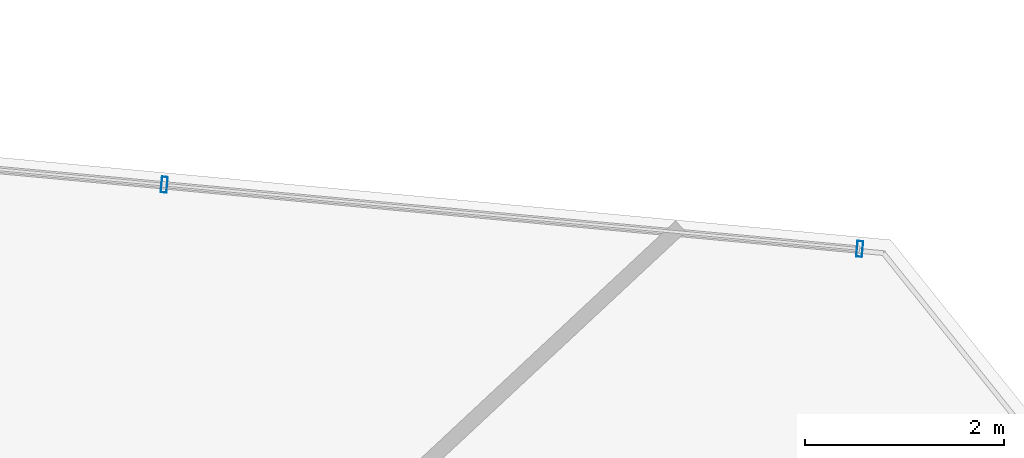
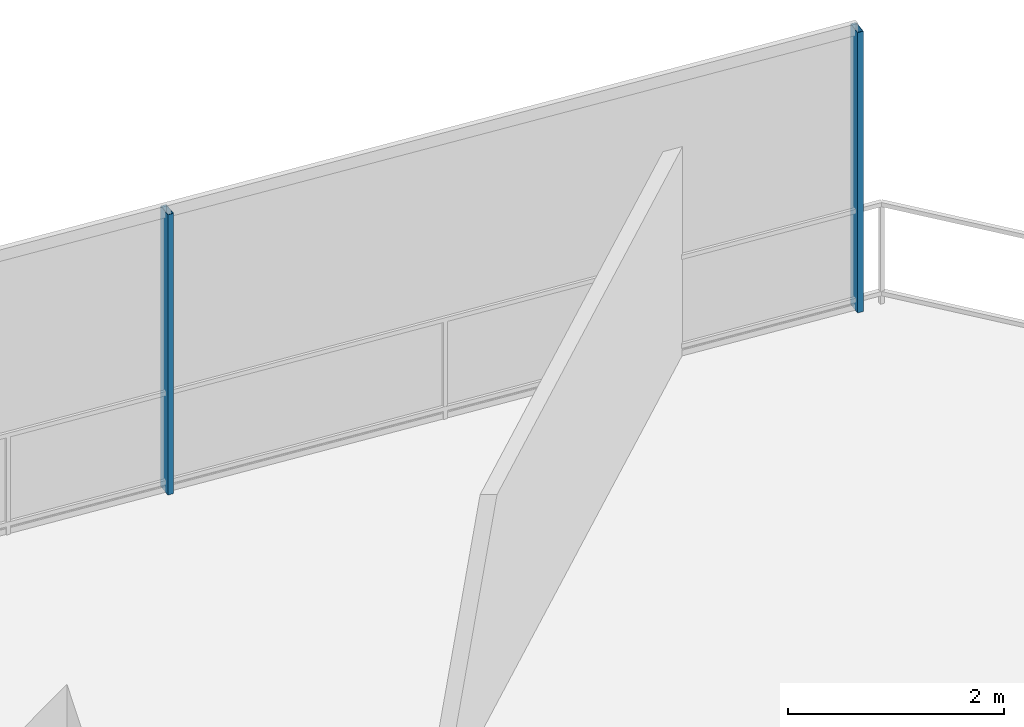
# One storey, part 24 of 30: 2 members, 1 element without a shape of its own.
"""IFC4 building model written with IfcOpenShell, lengths in metres."""

from ifc_helpers import new_model, si_unit, direction, frame, origin, origin_2d, place, context, subcontext, project, spatial, hollow_rectangle, extrude, material, layer, layer_set, material_profile, profile_set, type_object, element, aggregate, save


model = new_model("IFC4")

# Units and contexts
model_context = context("Model", 3, precision=1e-05, world=origin(), true_north=direction((0.0, 1.0)))
body_context = subcontext(model_context, "Body", "Model", "MODEL_VIEW")
ifc_project = project(units=[si_unit("LENGTHUNIT", "METRE"), si_unit("AREAUNIT", "SQUARE_METRE"), si_unit("VOLUMEUNIT", "CUBIC_METRE"), si_unit("PLANEANGLEUNIT", "RADIAN"), si_unit("MASSUNIT", "GRAM", prefix="KILO")], contexts=[model_context])

# Site, building, storey
site_placement = place(None, origin())
site = spatial("IfcSite", under=ifc_project, at=site_placement, CompositionType="ELEMENT")
building_placement = place(site_placement, origin())
building = spatial("IfcBuilding", under=site, at=building_placement, Name="Qarnah Convention Tower", CompositionType="ELEMENT")
storey_placement = place(building_placement, frame((0.0, 0.0, 47.699951171875)))
storey = spatial("IfcBuildingStorey", under=building, at=storey_placement, Name="L11", CompositionType="ELEMENT", Elevation=47.699951171875)

# Curtain wall, members
ifc_material_1 = material(Name="Tempered Low-E dark glass", Category="glass")
ifc_layer = layer(ifc_material_1, 0.16796875)
ifc_layer_set = layer_set([ifc_layer], Name="Tempered Low-E dark glass")
curtain_wall_type = type_object("IfcCurtainWallType", Name="CWS-01", PredefinedType="NOTDEFINED", material=ifc_layer_set)
curtain_wall_placement = place(storey_placement, origin())
curtain_wall = element("IfcCurtainWall", 1, at=curtain_wall_placement, inside=storey, type_object=curtain_wall_type, Name="L11 unitised curtain wall CW-L11-F2", PredefinedType="NOTDEFINED")
ifc_material_2 = material(Name="Black anodised aluminium", Category="aluminium")
ifc_material_profile = material_profile(ifc_material_2, hollow_rectangle(XDim=0.06005859375, YDim=0.159912109375, WallThickness=0.00390625, at=origin_2d()), Name="MUL-60X160")
ifc_profile_set = profile_set([ifc_material_profile], Name="Black anodised aluminium")
member_type = type_object("IfcMemberType", Name="MUL-T1", PredefinedType="MULLION", material=ifc_profile_set)
member_1_placement = place(storey_placement, frame((50.605712890625, 43.827392578125, 0.0), z_axis=(0.0, 0.0, 1.0), x_axis=(0.995755501183, -0.092037937091, 0.0)))
member_1 = element("IfcMember", 2, at=member_1_placement, type_object=member_type, Name="CW-L11-F2 mullion 5", PredefinedType="MULLION", context=body_context, shape_type="SweptSolid", body=[
    extrude(hollow_rectangle(XDim=0.06005859375, YDim=0.159912109375, WallThickness=0.00390625, at=origin_2d()), origin(), (0.0, 0.0, 1.0), 3.170166015625),
])
member_2_placement = place(storey_placement, frame((57.610107421875, 43.179931640625, 0.0), z_axis=(0.0, 0.0, 1.0), x_axis=(0.995755501183, -0.092037937091, 0.0)))
member_2 = element("IfcMember", 3, at=member_2_placement, type_object=member_type, Name="CW-L11-F2 mullion 6", PredefinedType="MULLION", context=body_context, shape_type="SweptSolid", body=[
    extrude(hollow_rectangle(XDim=0.06005859375, YDim=0.159912109375, WallThickness=0.00390625, at=origin_2d()), origin(), (0.0, 0.0, 1.0), 3.170166015625),
])
aggregate(curtain_wall, [member_1, member_2])

save(model, "model.ifc")
